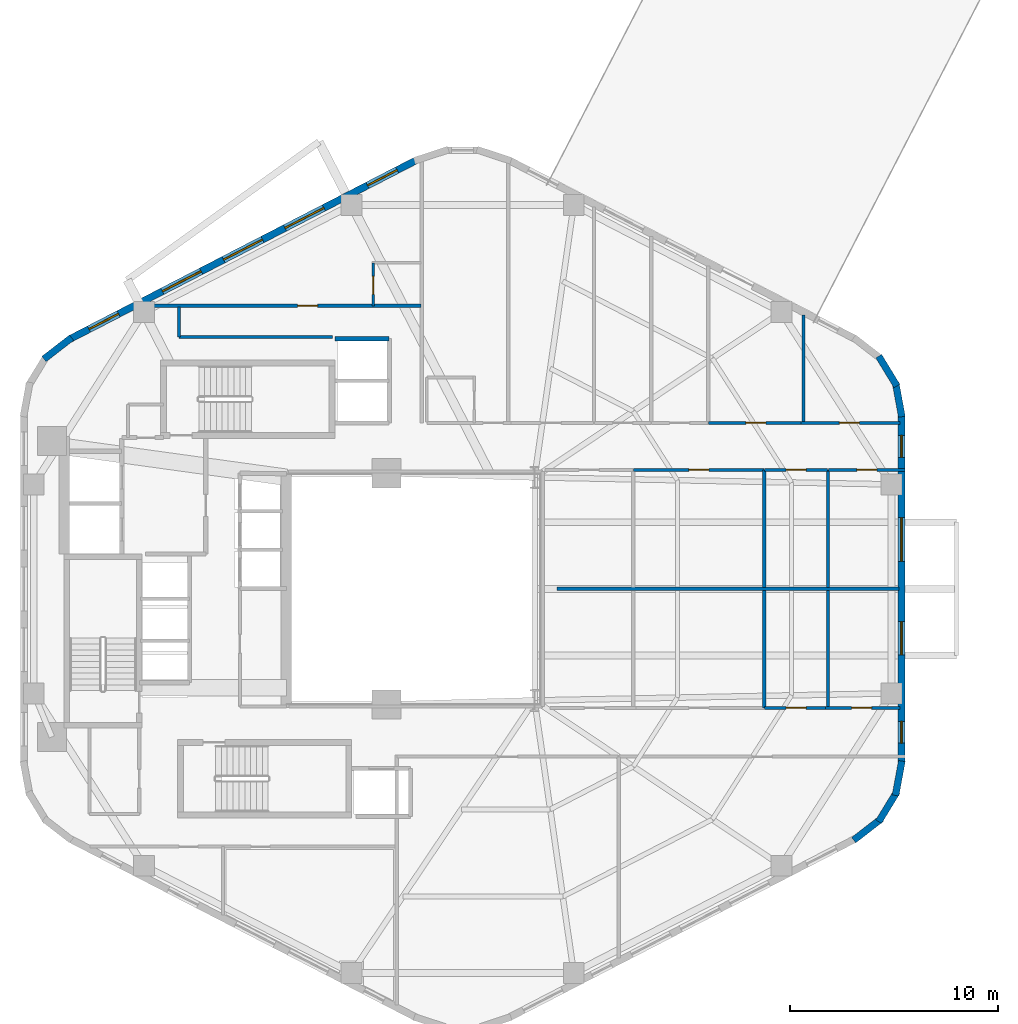
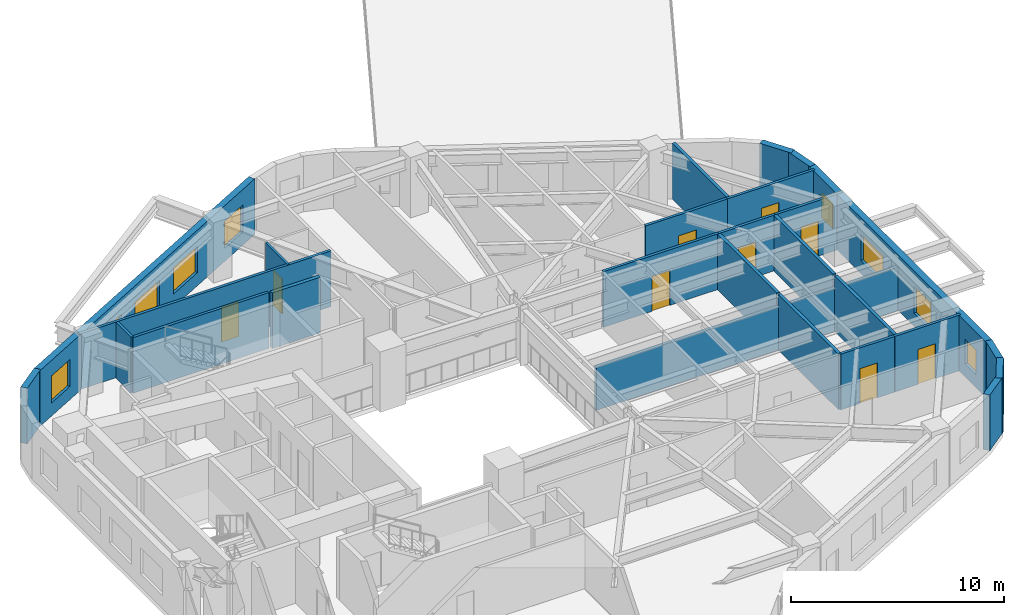
# One storey, part 5 of 8: 26 walls, 9 doors, 9 windows, 18 openings.
"""IFC4 building model written with IfcOpenShell, lengths in metres."""

import ifcopenshell
import ifcopenshell.guid

model = None  # the IFC model being written
_history = None  # IfcOwnerHistory: only IFC2X3 demands one
_inside = {}  # id of a spatial element -> (the spatial element, [elements in it])
_under = {}  # id of a project, library or spatial element -> (it, [spatial elements below it])
_declared = {}  # id of a project -> (the project, [libraries it declares])
_typed = {}  # id of a type object -> (the type object, [elements of that type])
_made_of = {}  # id of a material, layer set ... -> (it, [elements and type objects made of it])


def new_model(schema):
    """Start an empty IFC model of exactly this schema.

    Asked for "IFC4X3", IfcOpenShell would pick the latest addendum, in which some entities
    have other attributes; the version numbers below select the first issue.
    IFC2X3 requires an IfcOwnerHistory on every rooted entity: one is made here for all.
    """
    global model, _history
    if schema == "IFC4X3":
        model = ifcopenshell.file(schema_version=(4, 3, 0, 0))
    else:
        model = ifcopenshell.file(schema=schema)
    _inside.clear()
    _under.clear()
    _declared.clear()
    _typed.clear()
    _made_of.clear()
    _history = None
    if model.schema == "IFC2X3":
        org = make("IfcOrganization", Name="unknown")
        user = make(
            "IfcPersonAndOrganization",
            ThePerson=make("IfcPerson", FamilyName="unknown"),
            TheOrganization=org,
        )
        app = make(
            "IfcApplication",
            ApplicationDeveloper=org,
            Version="unknown",
            ApplicationFullName="unknown",
            ApplicationIdentifier="unknown",
        )
        _history = make(
            "IfcOwnerHistory",
            OwningUser=user,
            OwningApplication=app,
            ChangeAction="ADDED",
            CreationDate=0,
        )
    return model


def make(cls, **values):
    """One entity of the class cls with the attributes given. An attribute that is None is left unset."""
    return model.create_entity(
        cls, **{name: value for name, value in values.items() if value is not None}
    )


def rooted(cls, **values):
    """An entity with a GlobalId (a new one), such as an element, a storey or a relation."""
    return make(cls, GlobalId=ifcopenshell.guid.new(), OwnerHistory=_history, **values)


def si_unit(unit_type, name, prefix=None):
    """IfcSIUnit, for example si_unit("LENGTHUNIT", "METRE", prefix="MILLI")."""
    return make("IfcSIUnit", UnitType=unit_type, Prefix=prefix, Name=name)


def assignment(units):
    """IfcUnitAssignment: the units of a project."""
    return None if units is None else make("IfcUnitAssignment", Units=units)


def point(xyz):
    """IfcCartesianPoint."""
    return None if xyz is None else make("IfcCartesianPoint", Coordinates=xyz)


def direction(xyz):
    """IfcDirection."""
    return None if xyz is None else make("IfcDirection", DirectionRatios=xyz)


def frame(location, z_axis=None, x_axis=None):
    """IfcAxis2Placement3D, a coordinate frame: its origin and axes. An axis left out is left unset."""
    return make(
        "IfcAxis2Placement3D",
        Location=point(location),
        Axis=direction(z_axis),
        RefDirection=direction(x_axis),
    )


def frame_2d(location, x_axis=None):
    """IfcAxis2Placement2D, a coordinate frame in the plane: its origin and x axis."""
    return make(
        "IfcAxis2Placement2D", Location=point(location), RefDirection=direction(x_axis)
    )


def origin():
    """The frame at (0, 0, 0) with its axes left unset."""
    return frame((0.0, 0.0, 0.0))


def place(relative_to, where):
    """IfcLocalPlacement: puts the frame where relative to a parent placement (None: the world)."""
    return make(
        "IfcLocalPlacement", PlacementRelTo=relative_to, RelativePlacement=where
    )


def context(
    kind, dimensions, precision=None, world=None, true_north=None, identifier=None
):
    """IfcGeometricRepresentationContext, for example the 3D "Model" context."""
    return make(
        "IfcGeometricRepresentationContext",
        ContextIdentifier=identifier,
        ContextType=kind,
        CoordinateSpaceDimension=dimensions,
        Precision=precision,
        WorldCoordinateSystem=world,
        TrueNorth=true_north,
    )


def subcontext(parent, identifier, kind, view, scale=None):
    """IfcGeometricRepresentationSubContext, for example "Body" below "Model"."""
    return make(
        "IfcGeometricRepresentationSubContext",
        ContextIdentifier=identifier,
        ContextType=kind,
        ParentContext=parent,
        TargetScale=scale,
        TargetView=view,
    )


def project(units=None, contexts=None):
    """IfcProject with its units and contexts."""
    return rooted(
        "IfcProject",
        Name="project",
        RepresentationContexts=contexts,
        UnitsInContext=assignment(units),
    )


def spatial(cls, under=None, at=None, **own):
    """A site, building, storey or space (cls), placed at a placement, below another one or the project."""
    s = rooted(cls, ObjectPlacement=at, **own)
    if under is not None:
        _under.setdefault(under.id(), (under, []))[1].append(s)
    return s


def profile(cls, at=None, kind="AREA", **sizes):
    """A parametric profile (cls). Its sizes go by their IFC names, for example OverallWidth=200.0."""
    return make(cls, ProfileType=kind, Position=at, **sizes)


def rectangle(**sizes):
    """IfcRectangleProfileDef."""
    return profile("IfcRectangleProfileDef", **sizes)


def extrude(swept, where, along, depth):
    """IfcExtrudedAreaSolid: the profile swept, set in the frame where, extruded along a direction by depth."""
    return make(
        "IfcExtrudedAreaSolid",
        SweptArea=swept,
        Position=where,
        ExtrudedDirection=direction(along),
        Depth=depth,
    )


def shape(context_of_items, identifier, shape_type, items):
    """IfcShapeRepresentation: the items that make up one representation, for example the "Body"."""
    return make(
        "IfcShapeRepresentation",
        ContextOfItems=context_of_items,
        RepresentationIdentifier=identifier,
        RepresentationType=shape_type,
        Items=items,
    )


def material(Name=None, Category=None):
    """IfcMaterial."""
    return make("IfcMaterial", Name=Name, Category=Category)


def layer(
    of_material, thickness, ventilated=None, Name=None, Category=None, Priority=None
):
    """IfcMaterialLayer: one layer of a wall or slab, of a material (None: an air gap)."""
    return make(
        "IfcMaterialLayer",
        Material=of_material,
        LayerThickness=thickness,
        IsVentilated=ventilated,
        Name=Name,
        Category=Category,
        Priority=Priority,
    )


def layer_set(layers, Name=None):
    """IfcMaterialLayerSet."""
    return make("IfcMaterialLayerSet", MaterialLayers=layers, LayerSetName=Name)


def made_of(thing, what):
    """Note that an element or type object is made of a material, layer set ...; save() writes the relation."""
    if what is not None:
        _made_of.setdefault(what.id(), (what, []))[1].append(thing)
    return thing


def type_object(cls, material=None, **own):
    """A type object (cls), such as IfcWallType, which elements share."""
    return made_of(rooted(cls, **own), material)


def element(
    cls,
    number,
    at=None,
    inside=None,
    cuts=None,
    type_object=None,
    material=None,
    context=None,
    identifier="Body",
    shape_type=None,
    held_by="IfcProductDefinitionShape",
    body=None,
    shapes=None,
    **own,
):
    """One element of the class cls, such as IfcWall. Its Tag is "e" and its number.

    at: its placement. inside: the storey or other place that contains it. cuts: it is an
    opening in that element (IfcRelVoidsElement). A single representation is given by context,
    identifier, shape_type and body (its items); several are given by shapes. held_by: the class
    of the entity that holds the representations. save() writes the other relations.
    """
    e = rooted(cls, Tag="e%d" % number, ObjectPlacement=at, **own)
    if body is not None:
        shapes = [shape(context, identifier, shape_type, body)]
    if shapes is not None:
        e.Representation = make(held_by, Representations=shapes)
    if inside is not None:
        _inside.setdefault(inside.id(), (inside, []))[1].append(e)
    if cuts is not None:
        rooted(
            "IfcRelVoidsElement", RelatingBuildingElement=cuts, RelatedOpeningElement=e
        )
    if type_object is not None:
        _typed.setdefault(type_object.id(), (type_object, []))[1].append(e)
    return made_of(e, material)


def fill(opening, filler):
    """IfcRelFillsElement: the door or window that sits in an opening."""
    return rooted(
        "IfcRelFillsElement",
        RelatingOpeningElement=opening,
        RelatedBuildingElement=filler,
    )


def aggregate(whole, parts):
    """IfcRelAggregates: a whole, such as a stair, and the parts it consists of."""
    return rooted("IfcRelAggregates", RelatingObject=whole, RelatedObjects=parts)


def save(model, path):
    """Write the relations noted so far, then the file.

    IfcRelAggregates (storeys below a building ...), IfcRelContainedInSpatialStructure (elements
    in a storey), IfcRelDefinesByType, IfcRelAssociatesMaterial and IfcRelDeclares: one each for
    every whole, place, type object, material and project.
    """
    for whole, parts in _under.values():
        aggregate(whole, parts)
    for where, things in _inside.values():
        rooted(
            "IfcRelContainedInSpatialStructure",
            RelatedElements=things,
            RelatingStructure=where,
        )
    for kind, things in _typed.values():
        rooted("IfcRelDefinesByType", RelatedObjects=things, RelatingType=kind)
    for what, things in _made_of.values():
        rooted("IfcRelAssociatesMaterial", RelatedObjects=things, RelatingMaterial=what)
    for by, libraries in _declared.values():
        rooted("IfcRelDeclares", RelatingContext=by, RelatedDefinitions=libraries)
    model.write(path)


model = new_model("IFC4")

# Units and contexts
model_context = context("Model", 3, precision=1e-05, world=origin(), true_north=direction((0.0, 1.0)))
body_context = subcontext(model_context, "Body", "Model", "MODEL_VIEW")
ifc_project = project(units=[si_unit("LENGTHUNIT", "METRE"), si_unit("AREAUNIT", "SQUARE_METRE"), si_unit("VOLUMEUNIT", "CUBIC_METRE"), si_unit("PLANEANGLEUNIT", "RADIAN"), si_unit("MASSUNIT", "GRAM", prefix="KILO"), si_unit("THERMODYNAMICTEMPERATUREUNIT", "KELVIN"), si_unit("POWERUNIT", "WATT")], contexts=[model_context])

# Site, building, storey
site_placement = place(None, origin())
site = spatial("IfcSite", under=ifc_project, at=site_placement, CompositionType="ELEMENT")
building_placement = place(site_placement, origin())
building = spatial("IfcBuilding", under=site, at=building_placement, Name="Skarre Station Tower", CompositionType="ELEMENT")
storey_placement = place(building_placement, frame((0.0, 0.0, 122.25)))
storey = spatial("IfcBuildingStorey", under=building, at=storey_placement, Name="L32", CompositionType="ELEMENT", Elevation=122.25)

# Wall, opening, door
ifc_material_1 = material(Name="Acoustic Steel-Stud Gypsum Partition", Category="steel")
ifc_layer_1 = layer(ifc_material_1, 0.14990234375, Name="Acoustic Steel-Stud Gypsum Partition")
ifc_layer_set_1 = layer_set([ifc_layer_1], Name="Acoustic Steel-Stud Gypsum Partition")
wall_type_1 = type_object("IfcWallType", Name="Fire-Rated Corridor Acoustic Partition 150", PredefinedType="PARTITIONING", material=ifc_layer_set_1)
wall_1_placement = place(storey_placement, frame((34.0, 37.580078125, 0.0), z_axis=(0.0, 0.0, 1.0), x_axis=(-1.0, 0.0, 0.0)))
wall_1 = element("IfcWall", 1, at=wall_1_placement, inside=storey, type_object=wall_type_1, Name="L32 Interior Partition WL-PT-L32-NWW1-CW", PredefinedType="PARTITIONING", context=body_context, shape_type="SweptSolid", body=[
    extrude(rectangle(XDim=13.70703125, YDim=0.14990234375, at=frame_2d((6.853515625, 0.0))), origin(), (0.0, 0.0, 1.0), 3.18994140625),
])
opening_1_placement = place(wall_1_placement, frame((4.9599609375, 0.0, 0.0)))
opening_1 = element("IfcOpeningElement", 2, at=opening_1_placement, cuts=wall_1, Name="Opening DR-FD60", PredefinedType="OPENING", context=body_context, shape_type="SweptSolid", body=[
    extrude(rectangle(XDim=0.9599609375, YDim=2.0, at=frame_2d((0.47998046875, 1.0))), frame((0.0, 0.0849609375, 0.0), z_axis=(0.0, -1.0, 0.0), x_axis=(1.0, 0.0, 0.0)), (0.0, 0.0, 1.0), 0.169921875),
])
ifc_material_2 = material(Name="Nordic White-Oak Veneer Solid-Core Fire Leaf", Category="wood")
door_type_1 = type_object("IfcDoorType", Name="Corridor Suite Entry Fire Door FD60 960x2150", OperationType="SINGLE_SWING_LEFT", PredefinedType="DOOR", material=ifc_material_2)
door_1_placement = place(opening_1_placement, origin())
door_1 = element("IfcDoor", 3, at=door_1_placement, inside=storey, type_object=door_type_1, Name="L32 NWW1 Entry Door", OperationType="SINGLE_SWING_LEFT", OverallHeight=2.0, OverallWidth=0.9599609375, PredefinedType="DOOR", context=body_context, shape_type="SweptSolid", body=[
    extrude(rectangle(XDim=0.9599609375, YDim=2.0, at=frame_2d((0.47998046875, 1.0))), frame((0.0, 0.02490234375, 0.0), z_axis=(0.0, -1.0, 0.0), x_axis=(1.0, 0.0, 0.0)), (0.0, 0.0, 1.0), 0.050048828125),
])
fill(opening_1, door_1)

wall_2_placement = place(storey_placement, frame((52.219970703125, 31.9599609375, 0.0), z_axis=(0.0, 0.0, 1.0), x_axis=(-1.0, 0.0, 0.0)))
wall_2 = element("IfcWall", 4, at=wall_2_placement, inside=storey, type_object=wall_type_1, Name="L32 Interior Partition WL-PT-L32-NW5-CW", PredefinedType="PARTITIONING", context=body_context, shape_type="SweptSolid", body=[
    extrude(rectangle(XDim=4.4208984375, YDim=0.14990234375, at=frame_2d((2.21044921875, 0.0))), origin(), (0.0, 0.0, 1.0), 3.18994140625),
])
opening_2_placement = place(wall_2_placement, frame((1.674072265625, 0.0, 0.0)))
opening_2 = element("IfcOpeningElement", 5, at=opening_2_placement, cuts=wall_2, Name="Opening DR-FD60", PredefinedType="OPENING", context=body_context, shape_type="SweptSolid", body=[
    extrude(rectangle(XDim=0.9599609375, YDim=2.0, at=frame_2d((0.47998046875, 1.0))), frame((0.0, 0.0849609375, 0.0), z_axis=(0.0, -1.0, 0.0), x_axis=(1.0, 0.0, 0.0)), (0.0, 0.0, 1.0), 0.169921875),
])
door_2_placement = place(opening_2_placement, origin())
door_2 = element("IfcDoor", 6, at=door_2_placement, inside=storey, type_object=door_type_1, Name="L32 NW5 Entry Door", OperationType="SINGLE_SWING_LEFT", OverallHeight=2.0, OverallWidth=0.9599609375, PredefinedType="DOOR", context=body_context, shape_type="SweptSolid", body=[
    extrude(rectangle(XDim=0.9599609375, YDim=2.0, at=frame_2d((0.47998046875, 1.0))), frame((0.0, 0.02490234375, 0.0), z_axis=(0.0, -1.0, 0.0), x_axis=(1.0, 0.0, 0.0)), (0.0, 0.0, 1.0), 0.050048828125),
])
fill(opening_2, door_2)

wall_3_placement = place(storey_placement, frame((56.987060546875, 31.9599609375, 0.0), z_axis=(0.0, 0.0, 1.0), x_axis=(-1.0, 0.0, 0.0)))
wall_3 = element("IfcWall", 7, at=wall_3_placement, inside=storey, type_object=wall_type_1, Name="L32 Interior Partition WL-PT-L32-NW6-CW", PredefinedType="PARTITIONING", context=body_context, shape_type="SweptSolid", body=[
    extrude(rectangle(XDim=4.757080078125, YDim=0.14990234375, at=frame_2d((2.37841796875, 0.0))), origin(), (0.0, 0.0, 1.0), 3.18994140625),
])
opening_3_placement = place(wall_3_placement, frame((1.9560546875, 0.0, 0.0)))
opening_3 = element("IfcOpeningElement", 8, at=opening_3_placement, cuts=wall_3, Name="Opening DR-FD60", PredefinedType="OPENING", context=body_context, shape_type="SweptSolid", body=[
    extrude(rectangle(XDim=0.9599609375, YDim=2.0, at=frame_2d((0.47998046875, 1.0))), frame((0.0, 0.0849609375, 0.0), z_axis=(0.0, -1.0, 0.0), x_axis=(1.0, 0.0, 0.0)), (0.0, 0.0, 1.0), 0.169921875),
])
door_3_placement = place(opening_3_placement, origin())
door_3 = element("IfcDoor", 9, at=door_3_placement, inside=storey, type_object=door_type_1, Name="L32 NW6 Entry Door", OperationType="SINGLE_SWING_LEFT", OverallHeight=2.0, OverallWidth=0.9599609375, PredefinedType="DOOR", context=body_context, shape_type="SweptSolid", body=[
    extrude(rectangle(XDim=0.9599609375, YDim=2.0, at=frame_2d((0.47998046875, 1.0))), frame((0.0, 0.02490234375, 0.0), z_axis=(0.0, -1.0, 0.0), x_axis=(1.0, 0.0, 0.0)), (0.0, 0.0, 1.0), 0.050048828125),
])
fill(opening_3, door_3)

wall_4_placement = place(storey_placement, frame((44.20703125, 29.7099609375, 0.0), z_axis=(0.0, 0.0, 1.0), x_axis=(1.0, 0.0, 0.0)))
wall_4 = element("IfcWall", 10, at=wall_4_placement, inside=storey, type_object=wall_type_1, Name="L32 Interior Partition WL-PT-L32-EWN2-CW", PredefinedType="PARTITIONING", context=body_context, shape_type="SweptSolid", body=[
    extrude(rectangle(XDim=6.248046875, YDim=0.14990234375, at=frame_2d((3.1240234375, 0.0))), origin(), (0.0, 0.0, 1.0), 3.18994140625),
])
opening_4_placement = place(wall_4_placement, frame((2.64404296875, 0.0, 0.0)))
opening_4 = element("IfcOpeningElement", 11, at=opening_4_placement, cuts=wall_4, Name="Opening DR-FD60", PredefinedType="OPENING", context=body_context, shape_type="SweptSolid", body=[
    extrude(rectangle(XDim=0.9599609375, YDim=2.0, at=frame_2d((0.47998046875, 1.0))), frame((0.0, 0.0849609375, 0.0), z_axis=(0.0, -1.0, 0.0), x_axis=(1.0, 0.0, 0.0)), (0.0, 0.0, 1.0), 0.169921875),
])
door_4_placement = place(opening_4_placement, origin())
door_4 = element("IfcDoor", 12, at=door_4_placement, inside=storey, type_object=door_type_1, Name="L32 EWN2 Entry Door", OperationType="SINGLE_SWING_LEFT", OverallHeight=2.0, OverallWidth=0.9599609375, PredefinedType="DOOR", context=body_context, shape_type="SweptSolid", body=[
    extrude(rectangle(XDim=0.9599609375, YDim=2.0, at=frame_2d((0.47998046875, 1.0))), frame((0.0, 0.02490234375, 0.0), z_axis=(0.0, -1.0, 0.0), x_axis=(1.0, 0.0, 0.0)), (0.0, 0.0, 1.0), 0.050048828125),
])
fill(opening_4, door_4)

wall_5_placement = place(storey_placement, frame((50.485107421875, 29.7099609375, 0.0), z_axis=(0.0, 0.0, 1.0), x_axis=(1.0, 0.0, 0.0)))
wall_5 = element("IfcWall", 13, at=wall_5_placement, inside=storey, type_object=wall_type_1, Name="L32 Interior Partition WL-PT-L32-EWN3-CW", PredefinedType="PARTITIONING", context=body_context, shape_type="SweptSolid", body=[
    extrude(rectangle(XDim=3.02392578125, YDim=0.14990234375, at=frame_2d((1.511962890625, 0.0))), origin(), (0.0, 0.0, 1.0), 3.18994140625),
])
opening_5_placement = place(wall_5_placement, frame((1.031982421875, 0.0, 0.0)))
opening_5 = element("IfcOpeningElement", 14, at=opening_5_placement, cuts=wall_5, Name="Opening DR-FD60", PredefinedType="OPENING", context=body_context, shape_type="SweptSolid", body=[
    extrude(rectangle(XDim=0.9599609375, YDim=2.0, at=frame_2d((0.47998046875, 1.0))), frame((0.0, 0.0849609375, 0.0), z_axis=(0.0, -1.0, 0.0), x_axis=(1.0, 0.0, 0.0)), (0.0, 0.0, 1.0), 0.169921875),
])
door_5_placement = place(opening_5_placement, origin())
door_5 = element("IfcDoor", 15, at=door_5_placement, inside=storey, type_object=door_type_1, Name="L32 EWN3 Entry Door", OperationType="SINGLE_SWING_LEFT", OverallHeight=2.0, OverallWidth=0.9599609375, PredefinedType="DOOR", context=body_context, shape_type="SweptSolid", body=[
    extrude(rectangle(XDim=0.9599609375, YDim=2.0, at=frame_2d((0.47998046875, 1.0))), frame((0.0, 0.02490234375, 0.0), z_axis=(0.0, -1.0, 0.0), x_axis=(1.0, 0.0, 0.0)), (0.0, 0.0, 1.0), 0.050048828125),
])
fill(opening_5, door_5)

wall_6_placement = place(storey_placement, frame((53.5390625, 29.7099609375, 0.0), z_axis=(0.0, 0.0, 1.0), x_axis=(1.0, 0.0, 0.0)))
wall_6 = element("IfcWall", 16, at=wall_6_placement, inside=storey, type_object=wall_type_1, Name="L32 Interior Partition WL-PT-L32-EWN4-CW", PredefinedType="PARTITIONING", context=body_context, shape_type="SweptSolid", body=[
    extrude(rectangle(XDim=3.6689453125, YDim=0.14990234375, at=frame_2d((1.83447265625, 0.0))), origin(), (0.0, 0.0, 1.0), 3.18994140625),
])
opening_6_placement = place(wall_6_placement, frame((1.368896484375, 0.0, 0.0)))
opening_6 = element("IfcOpeningElement", 17, at=opening_6_placement, cuts=wall_6, Name="Opening DR-FD60", PredefinedType="OPENING", context=body_context, shape_type="SweptSolid", body=[
    extrude(rectangle(XDim=0.9599609375, YDim=2.0, at=frame_2d((0.47998046875, 1.0))), frame((0.0, 0.0849609375, 0.0), z_axis=(0.0, -1.0, 0.0), x_axis=(1.0, 0.0, 0.0)), (0.0, 0.0, 1.0), 0.169921875),
])
door_6_placement = place(opening_6_placement, origin())
door_6 = element("IfcDoor", 18, at=door_6_placement, inside=storey, type_object=door_type_1, Name="L32 EWN4 Entry Door", OperationType="SINGLE_SWING_LEFT", OverallHeight=2.0, OverallWidth=0.9599609375, PredefinedType="DOOR", context=body_context, shape_type="SweptSolid", body=[
    extrude(rectangle(XDim=0.9599609375, YDim=2.0, at=frame_2d((0.47998046875, 1.0))), frame((0.0, 0.02490234375, 0.0), z_axis=(0.0, -1.0, 0.0), x_axis=(1.0, 0.0, 0.0)), (0.0, 0.0, 1.0), 0.050048828125),
])
fill(opening_6, door_6)

wall_7_placement = place(storey_placement, frame((53.39404296875, 18.2900390625, 0.0), z_axis=(0.0, 0.0, 1.0), x_axis=(-1.0, 0.0, 0.0)))
wall_7 = element("IfcWall", 19, at=wall_7_placement, inside=storey, type_object=wall_type_1, Name="L32 Interior Partition WL-PT-L32-EWS3-CW", PredefinedType="PARTITIONING", context=body_context, shape_type="SweptSolid", body=[
    extrude(rectangle(XDim=2.908935546875, YDim=0.14990234375, at=frame_2d((1.45458984375, 0.0))), origin(), (0.0, 0.0, 1.0), 3.18994140625),
])
opening_7_placement = place(wall_7_placement, frame((0.9169921875, 0.0, 0.0)))
opening_7 = element("IfcOpeningElement", 20, at=opening_7_placement, cuts=wall_7, Name="Opening DR-FD60", PredefinedType="OPENING", context=body_context, shape_type="SweptSolid", body=[
    extrude(rectangle(XDim=0.9599609375, YDim=2.0, at=frame_2d((0.47998046875, 1.0))), frame((0.0, 0.0849609375, 0.0), z_axis=(0.0, -1.0, 0.0), x_axis=(1.0, 0.0, 0.0)), (0.0, 0.0, 1.0), 0.169921875),
])
door_7_placement = place(opening_7_placement, origin())
door_7 = element("IfcDoor", 21, at=door_7_placement, inside=storey, type_object=door_type_1, Name="L32 EWS3 Entry Door", OperationType="SINGLE_SWING_LEFT", OverallHeight=2.0, OverallWidth=0.9599609375, PredefinedType="DOOR", context=body_context, shape_type="SweptSolid", body=[
    extrude(rectangle(XDim=0.9599609375, YDim=2.0, at=frame_2d((0.47998046875, 1.0))), frame((0.0, 0.02490234375, 0.0), z_axis=(0.0, -1.0, 0.0), x_axis=(1.0, 0.0, 0.0)), (0.0, 0.0, 1.0), 0.050048828125),
])
fill(opening_7, door_7)

wall_8_placement = place(storey_placement, frame((56.988037109375, 18.2900390625, 0.0), z_axis=(0.0, 0.0, 1.0), x_axis=(-1.0, 0.0, 0.0)))
wall_8 = element("IfcWall", 22, at=wall_8_placement, inside=storey, type_object=wall_type_1, Name="L32 Interior Partition WL-PT-L32-EWS4-CW", PredefinedType="PARTITIONING", context=body_context, shape_type="SweptSolid", body=[
    extrude(rectangle(XDim=3.583984375, YDim=0.14990234375, at=frame_2d((1.7919921875, 0.0))), origin(), (0.0, 0.0, 1.0), 3.18994140625),
])
opening_8_placement = place(wall_8_placement, frame((1.368896484375, 0.0, 0.0)))
opening_8 = element("IfcOpeningElement", 23, at=opening_8_placement, cuts=wall_8, Name="Opening DR-FD60", PredefinedType="OPENING", context=body_context, shape_type="SweptSolid", body=[
    extrude(rectangle(XDim=0.9599609375, YDim=2.0, at=frame_2d((0.47998046875, 1.0))), frame((0.0, 0.0849609375, 0.0), z_axis=(0.0, -1.0, 0.0), x_axis=(1.0, 0.0, 0.0)), (0.0, 0.0, 1.0), 0.169921875),
])
door_8_placement = place(opening_8_placement, origin())
door_8 = element("IfcDoor", 24, at=door_8_placement, inside=storey, type_object=door_type_1, Name="L32 EWS4 Entry Door", OperationType="SINGLE_SWING_LEFT", OverallHeight=2.0, OverallWidth=0.9599609375, PredefinedType="DOOR", context=body_context, shape_type="SweptSolid", body=[
    extrude(rectangle(XDim=0.9599609375, YDim=2.0, at=frame_2d((0.47998046875, 1.0))), frame((0.0, 0.02490234375, 0.0), z_axis=(0.0, -1.0, 0.0), x_axis=(1.0, 0.0, 0.0)), (0.0, 0.0, 1.0), 0.050048828125),
])
fill(opening_8, door_8)

# Walls
wall_9_placement = place(storey_placement, frame((29.7529296875, 36.080078125, 0.0), z_axis=(0.0, 0.0, 1.0), x_axis=(-1.0, 0.0, 0.0)))
element("IfcWall", 25, at=wall_9_placement, inside=storey, type_object=wall_type_1, Name="L32 Interior Partition WL-PT-L32-CSEAL-1", PredefinedType="PARTITIONING", context=body_context, shape_type="SweptSolid", body=[
    extrude(rectangle(XDim=7.35302734375, YDim=0.14990234375, at=frame_2d((3.676513671875, 0.0))), origin(), (0.0, 0.0, 1.0), 3.18994140625),
])
wall_10_placement = place(storey_placement, frame((22.39990234375, 36.080078125, 0.0), z_axis=(0.0, 0.0, 1.0), x_axis=(0.0, 1.0, 0.0)))
element("IfcWall", 26, at=wall_10_placement, inside=storey, type_object=wall_type_1, Name="L32 Interior Partition WL-PT-L32-CSEAL-2", PredefinedType="PARTITIONING", context=body_context, shape_type="SweptSolid", body=[
    extrude(rectangle(XDim=1.429931640625, YDim=0.14990234375, at=frame_2d((0.71484375, 0.0))), origin(), (0.0, 0.0, 1.0), 3.18994140625),
])

# Wall, opening, door
ifc_material_3 = material(Name="Insulated Timber-Stud Gypsum Partition", Category="wood")
ifc_layer_2 = layer(ifc_material_3, 0.1201171875, Name="Insulated Timber-Stud Gypsum Partition")
ifc_layer_set_2 = layer_set([ifc_layer_2], Name="Insulated Timber-Stud Gypsum Partition")
wall_type_2 = type_object("IfcWallType", Name="Internal Suite Acoustic Partition 120", PredefinedType="PARTITIONING", material=ifc_layer_set_2)
wall_11_placement = place(storey_placement, frame((31.719970703125, 39.639892578125, 0.0), z_axis=(0.0, 0.0, 1.0), x_axis=(0.0, -1.0, 0.0)))
wall_11 = element("IfcWall", 27, at=wall_11_placement, inside=storey, type_object=wall_type_2, Name="L32 Interior Partition WL-PT-L32-NWW1-EW4", PredefinedType="PARTITIONING", context=body_context, shape_type="SweptSolid", body=[
    extrude(rectangle(XDim=2.059814453125, YDim=0.1201171875, at=frame_2d((1.02978515625, 0.0))), origin(), (0.0, 0.0, 1.0), 3.18994140625),
])
opening_9_placement = place(wall_11_placement, frame((0.64990234375, 0.0, 0.0)))
opening_9 = element("IfcOpeningElement", 28, at=opening_9_placement, cuts=wall_11, Name="Opening DR-INT86", PredefinedType="OPENING", context=body_context, shape_type="SweptSolid", body=[
    extrude(rectangle(XDim=0.860107421875, YDim=2.0, at=frame_2d((0.43017578125, 1.0))), frame((0.0, 0.070068359375, 0.0), z_axis=(0.0, -1.0, 0.0), x_axis=(1.0, 0.0, 0.0)), (0.0, 0.0, 1.0), 0.14013671875),
])
ifc_material_4 = material(Name="Nordic Birch Acoustic Solid-Core Timber Leaf", Category="wood")
door_type_2 = type_object("IfcDoorType", Name="Internal En-Suite & Bedroom Door 860x2100", OperationType="SINGLE_SWING_LEFT", PredefinedType="DOOR", material=ifc_material_4)
door_9_placement = place(opening_9_placement, origin())
door_9 = element("IfcDoor", 29, at=door_9_placement, inside=storey, type_object=door_type_2, Name="L32 NWW1 En-suite Door", OperationType="SINGLE_SWING_RIGHT", OverallHeight=2.0, OverallWidth=0.860107421875, PredefinedType="DOOR", context=body_context, shape_type="SweptSolid", body=[
    extrude(rectangle(XDim=0.860107421875, YDim=2.0, at=frame_2d((0.43017578125, 1.0))), frame((0.0, 0.02490234375, 0.0), z_axis=(0.0, -1.0, 0.0), x_axis=(1.0, 0.0, 0.0)), (0.0, 0.0, 1.0), 0.050048828125),
])
fill(opening_9, door_9)

# Wall, openings, windows
ifc_material_5 = material(Name="Precast concrete C45/55", Category="concrete")
ifc_layer_3 = layer(ifc_material_5, 0.340087890625, Name="Precast concrete C45/55")
ifc_layer_set_3 = layer_set([ifc_layer_3], Name="Precast concrete C45/55")
wall_type_3 = type_object("IfcWallType", Name="Nordic Honed Precast Facet Wall 340", PredefinedType="STANDARD", material=ifc_layer_set_3)
wall_12_placement = place(storey_placement, frame((17.1689453125, 35.989990234375, 0.0), z_axis=(0.0, 0.0, 1.0), x_axis=(0.888613612362, 0.458656568606, 0.0)))
wall_12 = element("IfcWall", 30, at=wall_12_placement, inside=storey, type_object=wall_type_3, Name="L32 Facet 1 Nordic Precast Masonry Wall", PredefinedType="STANDARD", context=body_context, shape_type="SweptSolid", body=[
    extrude(rectangle(XDim=18.680908203125, YDim=0.340087890625, at=frame_2d((9.34033203125, 0.0))), origin(), (0.0, 0.0, 1.0), 3.18994140625),
])
opening_10_placement = place(wall_12_placement, frame((1.02294921875, 0.0, 0.75)))
opening_10 = element("IfcOpeningElement", 31, at=opening_10_placement, cuts=wall_12, Name="Opening WN-Z2A", PredefinedType="OPENING", context=body_context, shape_type="SweptSolid", body=[
    extrude(rectangle(XDim=1.60009765625, YDim=1.550048828125, at=frame_2d((0.800048828125, 0.77490234375))), frame((0.0, 0.179931640625, 0.0), z_axis=(0.0, -1.0, 0.0), x_axis=(1.0, 0.0, 0.0)), (0.0, 0.0, 1.0), 0.360107421875),
])
opening_11_placement = place(wall_12_placement, frame((4.98095703125, 0.0, 0.75)))
opening_11 = element("IfcOpeningElement", 32, at=opening_11_placement, cuts=wall_12, Name="Opening WN-Z2B", PredefinedType="OPENING", context=body_context, shape_type="SweptSolid", body=[
    extrude(rectangle(XDim=2.10009765625, YDim=1.5, at=frame_2d((1.050048828125, 0.75))), frame((0.0, 0.179931640625, 0.0), z_axis=(0.0, -1.0, 0.0), x_axis=(1.0, 0.0, 0.0)), (0.0, 0.0, 1.0), 0.360107421875),
])
opening_12_placement = place(wall_12_placement, frame((8.2900390625, 0.0, 0.75)))
opening_12 = element("IfcOpeningElement", 33, at=opening_12_placement, cuts=wall_12, Name="Opening WN-Z2B", PredefinedType="OPENING", context=body_context, shape_type="SweptSolid", body=[
    extrude(rectangle(XDim=2.10009765625, YDim=1.5, at=frame_2d((1.050048828125, 0.75))), frame((0.0, 0.179931640625, 0.0), z_axis=(0.0, -1.0, 0.0), x_axis=(1.0, 0.0, 0.0)), (0.0, 0.0, 1.0), 0.360107421875),
])
opening_13_placement = place(wall_12_placement, frame((11.60009765625, 0.0, 0.75)))
opening_13 = element("IfcOpeningElement", 34, at=opening_13_placement, cuts=wall_12, Name="Opening WN-Z2B", PredefinedType="OPENING", context=body_context, shape_type="SweptSolid", body=[
    extrude(rectangle(XDim=2.10009765625, YDim=1.5, at=frame_2d((1.050048828125, 0.75))), frame((0.0, 0.179931640625, 0.0), z_axis=(0.0, -1.0, 0.0), x_axis=(1.0, 0.0, 0.0)), (0.0, 0.0, 1.0), 0.360107421875),
])
opening_14_placement = place(wall_12_placement, frame((16.05810546875, 0.0, 0.75)))
opening_14 = element("IfcOpeningElement", 35, at=opening_14_placement, cuts=wall_12, Name="Opening WN-Z2A", PredefinedType="OPENING", context=body_context, shape_type="SweptSolid", body=[
    extrude(rectangle(XDim=1.60009765625, YDim=1.550048828125, at=frame_2d((0.800048828125, 0.77490234375))), frame((0.0, 0.179931640625, 0.0), z_axis=(0.0, -1.0, 0.0), x_axis=(1.0, 0.0, 0.0)), (0.0, 0.0, 1.0), 0.360107421875),
])
ifc_material_6 = material(Name="Low-Iron Triple Glazing with Bronze Anodized Frame", Category="glass")
window_type_1 = type_object("IfcWindowType", Name="Nordic Residential Tall Window 1600x1550", PartitioningType="SINGLE_PANEL", PredefinedType="WINDOW", material=ifc_material_6)
window_1_placement = place(opening_10_placement, origin())
window_1 = element("IfcWindow", 36, at=window_1_placement, inside=storey, type_object=window_type_1, Name="L32 Facade Window WL-FAC-L32-F1-1", OverallHeight=1.550048828125, OverallWidth=1.60009765625, PartitioningType="SINGLE_PANEL", PredefinedType="WINDOW", context=body_context, shape_type="SweptSolid", body=[
    extrude(rectangle(XDim=1.60009765625, YDim=1.550048828125, at=frame_2d((0.800048828125, 0.77490234375))), frame((0.0, 0.030029296875, 0.0), z_axis=(0.0, -1.0, 0.0), x_axis=(1.0, 0.0, 0.0)), (0.0, 0.0, 1.0), 0.06005859375),
])
fill(opening_10, window_1)
window_2_placement = place(opening_14_placement, origin())
window_2 = element("IfcWindow", 37, at=window_2_placement, inside=storey, type_object=window_type_1, Name="L32 Facade Window WL-FAC-L32-F1-5", OverallHeight=1.550048828125, OverallWidth=1.60009765625, PartitioningType="SINGLE_PANEL", PredefinedType="WINDOW", context=body_context, shape_type="SweptSolid", body=[
    extrude(rectangle(XDim=1.60009765625, YDim=1.550048828125, at=frame_2d((0.800048828125, 0.77490234375))), frame((0.0, 0.030029296875, 0.0), z_axis=(0.0, -1.0, 0.0), x_axis=(1.0, 0.0, 0.0)), (0.0, 0.0, 1.0), 0.06005859375),
])
fill(opening_14, window_2)
window_type_2 = type_object("IfcWindowType", Name="Nordic Residential Twin Window 2100x1500", PartitioningType="SINGLE_PANEL", PredefinedType="WINDOW", material=ifc_material_6)
window_3_placement = place(opening_11_placement, origin())
window_3 = element("IfcWindow", 38, at=window_3_placement, inside=storey, type_object=window_type_2, Name="L32 Facade Window WL-FAC-L32-F1-2", OverallHeight=1.5, OverallWidth=2.10009765625, PartitioningType="SINGLE_PANEL", PredefinedType="WINDOW", context=body_context, shape_type="SweptSolid", body=[
    extrude(rectangle(XDim=2.10009765625, YDim=1.5, at=frame_2d((1.050048828125, 0.75))), frame((0.0, 0.030029296875, 0.0), z_axis=(0.0, -1.0, 0.0), x_axis=(1.0, 0.0, 0.0)), (0.0, 0.0, 1.0), 0.06005859375),
])
fill(opening_11, window_3)
window_4_placement = place(opening_12_placement, origin())
window_4 = element("IfcWindow", 39, at=window_4_placement, inside=storey, type_object=window_type_2, Name="L32 Facade Window WL-FAC-L32-F1-3", OverallHeight=1.5, OverallWidth=2.10009765625, PartitioningType="SINGLE_PANEL", PredefinedType="WINDOW", context=body_context, shape_type="SweptSolid", body=[
    extrude(rectangle(XDim=2.10009765625, YDim=1.5, at=frame_2d((1.050048828125, 0.75))), frame((0.0, 0.030029296875, 0.0), z_axis=(0.0, -1.0, 0.0), x_axis=(1.0, 0.0, 0.0)), (0.0, 0.0, 1.0), 0.06005859375),
])
fill(opening_12, window_4)
window_5_placement = place(opening_13_placement, origin())
window_5 = element("IfcWindow", 40, at=window_5_placement, inside=storey, type_object=window_type_2, Name="L32 Facade Window WL-FAC-L32-F1-4", OverallHeight=1.5, OverallWidth=2.10009765625, PartitioningType="SINGLE_PANEL", PredefinedType="WINDOW", context=body_context, shape_type="SweptSolid", body=[
    extrude(rectangle(XDim=2.10009765625, YDim=1.5, at=frame_2d((1.050048828125, 0.75))), frame((0.0, 0.030029296875, 0.0), z_axis=(0.0, -1.0, 0.0), x_axis=(1.0, 0.0, 0.0)), (0.0, 0.0, 1.0), 0.06005859375),
])
fill(opening_13, window_5)

wall_13_placement = place(storey_placement, frame((57.048095703125, 32.35205078125, 0.0), z_axis=(0.0, 0.0, 1.0), x_axis=(0.0, -1.0, 0.0)))
wall_13 = element("IfcWall", 41, at=wall_13_placement, inside=storey, type_object=wall_type_3, Name="L32 Facet 5 Nordic Precast Masonry Wall", PredefinedType="STANDARD", context=body_context, shape_type="SweptSolid", body=[
    extrude(rectangle(XDim=16.7041015625, YDim=0.340087890625, at=frame_2d((8.35205078125, 0.0))), origin(), (0.0, 0.0, 1.0), 3.18994140625),
])
opening_15_placement = place(wall_13_placement, frame((0.991943359375, 0.0, 0.75)))
opening_15 = element("IfcOpeningElement", 42, at=opening_15_placement, cuts=wall_13, Name="Opening WN-SLT", PredefinedType="OPENING", context=body_context, shape_type="SweptSolid", body=[
    extrude(rectangle(XDim=1.050048828125, YDim=1.39990234375, at=frame_2d((0.52490234375, 0.699951171875))), frame((0.0, 0.179931640625, 0.0), z_axis=(0.0, -1.0, 0.0), x_axis=(1.0, 0.0, 0.0)), (0.0, 0.0, 1.0), 0.360107421875),
])
opening_16_placement = place(wall_13_placement, frame((4.93505859375, 0.0, 0.75)))
opening_16 = element("IfcOpeningElement", 43, at=opening_16_placement, cuts=wall_13, Name="Opening WN-Z2B", PredefinedType="OPENING", context=body_context, shape_type="SweptSolid", body=[
    extrude(rectangle(XDim=2.10009765625, YDim=1.5, at=frame_2d((1.050048828125, 0.75))), frame((0.0, 0.179931640625, 0.0), z_axis=(0.0, -1.0, 0.0), x_axis=(1.0, 0.0, 0.0)), (0.0, 0.0, 1.0), 0.360107421875),
])
opening_17_placement = place(wall_13_placement, frame((9.9189453125, 0.0, 0.75)))
opening_17 = element("IfcOpeningElement", 44, at=opening_17_placement, cuts=wall_13, Name="Opening WN-Z2A", PredefinedType="OPENING", context=body_context, shape_type="SweptSolid", body=[
    extrude(rectangle(XDim=1.60009765625, YDim=1.550048828125, at=frame_2d((0.800048828125, 0.77490234375))), frame((0.0, 0.179931640625, 0.0), z_axis=(0.0, -1.0, 0.0), x_axis=(1.0, 0.0, 0.0)), (0.0, 0.0, 1.0), 0.360107421875),
])
opening_18_placement = place(wall_13_placement, frame((14.701904296875, 0.0, 0.75)))
opening_18 = element("IfcOpeningElement", 45, at=opening_18_placement, cuts=wall_13, Name="Opening WN-SLT", PredefinedType="OPENING", context=body_context, shape_type="SweptSolid", body=[
    extrude(rectangle(XDim=1.050048828125, YDim=1.39990234375, at=frame_2d((0.52490234375, 0.699951171875))), frame((0.0, 0.179931640625, 0.0), z_axis=(0.0, -1.0, 0.0), x_axis=(1.0, 0.0, 0.0)), (0.0, 0.0, 1.0), 0.360107421875),
])
window_type_3 = type_object("IfcWindowType", Name="Nordic Corner Slot Window 1050x1400", PartitioningType="SINGLE_PANEL", PredefinedType="WINDOW", material=ifc_material_6)
window_6_placement = place(opening_15_placement, origin())
window_6 = element("IfcWindow", 46, at=window_6_placement, inside=storey, type_object=window_type_3, Name="L32 Facade Window WL-FAC-L32-F5-1", OverallHeight=1.39990234375, OverallWidth=1.050048828125, PartitioningType="SINGLE_PANEL", PredefinedType="WINDOW", context=body_context, shape_type="SweptSolid", body=[
    extrude(rectangle(XDim=1.050048828125, YDim=1.39990234375, at=frame_2d((0.52490234375, 0.699951171875))), frame((0.0, 0.030029296875, 0.0), z_axis=(0.0, -1.0, 0.0), x_axis=(1.0, 0.0, 0.0)), (0.0, 0.0, 1.0), 0.06005859375),
])
fill(opening_15, window_6)
window_7_placement = place(opening_18_placement, origin())
window_7 = element("IfcWindow", 47, at=window_7_placement, inside=storey, type_object=window_type_3, Name="L32 Facade Window WL-FAC-L32-F5-4", OverallHeight=1.39990234375, OverallWidth=1.050048828125, PartitioningType="SINGLE_PANEL", PredefinedType="WINDOW", context=body_context, shape_type="SweptSolid", body=[
    extrude(rectangle(XDim=1.050048828125, YDim=1.39990234375, at=frame_2d((0.52490234375, 0.699951171875))), frame((0.0, 0.030029296875, 0.0), z_axis=(0.0, -1.0, 0.0), x_axis=(1.0, 0.0, 0.0)), (0.0, 0.0, 1.0), 0.06005859375),
])
fill(opening_18, window_7)
window_8_placement = place(opening_17_placement, origin())
window_8 = element("IfcWindow", 48, at=window_8_placement, inside=storey, type_object=window_type_1, Name="L32 Facade Window WL-FAC-L32-F5-3", OverallHeight=1.550048828125, OverallWidth=1.60009765625, PartitioningType="SINGLE_PANEL", PredefinedType="WINDOW", context=body_context, shape_type="SweptSolid", body=[
    extrude(rectangle(XDim=1.60009765625, YDim=1.550048828125, at=frame_2d((0.800048828125, 0.77490234375))), frame((0.0, 0.030029296875, 0.0), z_axis=(0.0, -1.0, 0.0), x_axis=(1.0, 0.0, 0.0)), (0.0, 0.0, 1.0), 0.06005859375),
])
fill(opening_17, window_8)
window_9_placement = place(opening_16_placement, origin())
window_9 = element("IfcWindow", 49, at=window_9_placement, inside=storey, type_object=window_type_2, Name="L32 Facade Window WL-FAC-L32-F5-2", OverallHeight=1.5, OverallWidth=2.10009765625, PartitioningType="SINGLE_PANEL", PredefinedType="WINDOW", context=body_context, shape_type="SweptSolid", body=[
    extrude(rectangle(XDim=2.10009765625, YDim=1.5, at=frame_2d((1.050048828125, 0.75))), frame((0.0, 0.030029296875, 0.0), z_axis=(0.0, -1.0, 0.0), x_axis=(1.0, 0.0, 0.0)), (0.0, 0.0, 1.0), 0.06005859375),
])
fill(opening_16, window_9)

# Walls
ifc_layer_4 = layer(ifc_material_5, 0.330078125, Name="Precast concrete C45/55")
ifc_layer_set_4 = layer_set([ifc_layer_4], Name="Precast concrete C45/55")
wall_type_4 = type_object("IfcWallType", Name="Nordic Rounded Corner Precast Wall 330", PredefinedType="STANDARD", material=ifc_layer_set_4)
wall_14_placement = place(storey_placement, frame((55.95703125, 35.1640625, 0.0), z_axis=(0.0, 0.0, 1.0), x_axis=(0.520519429557, -0.853849824883, 0.0)))
element("IfcWall", 50, at=wall_14_placement, inside=storey, type_object=wall_type_4, Name="L32 Rounded Corner Precast Wall F0-2", PredefinedType="STANDARD", context=body_context, shape_type="SweptSolid", body=[
    extrude(rectangle(XDim=1.67724609375, YDim=0.330078125, at=frame_2d((0.838623046875, 0.0))), origin(), (0.0, 0.0, 1.0), 3.18994140625),
])
wall_15_placement = place(storey_placement, frame((56.762939453125, 33.906982421875, 0.0), z_axis=(0.0, 0.0, 1.0), x_axis=(0.181984991895, -0.983301308209, 0.0)))
element("IfcWall", 51, at=wall_15_placement, inside=storey, type_object=wall_type_4, Name="L32 Rounded Corner Precast Wall F0-3", PredefinedType="STANDARD", context=body_context, shape_type="SweptSolid", body=[
    extrude(rectangle(XDim=1.677001953125, YDim=0.330078125, at=frame_2d((0.83837890625, 0.0))), origin(), (0.0, 0.0, 1.0), 3.18994140625),
])
wall_16_placement = place(storey_placement, frame((15.91796875, 35.02392578125, 0.0), z_axis=(0.0, 0.0, 1.0), x_axis=(0.790621329885, 0.612305408053, 0.0)))
element("IfcWall", 52, at=wall_16_placement, inside=storey, type_object=wall_type_4, Name="L32 Rounded Corner Precast Wall F2-3", PredefinedType="STANDARD", context=body_context, shape_type="SweptSolid", body=[
    extrude(rectangle(XDim=1.67578125, YDim=0.330078125, at=frame_2d((0.837890625, 0.0))), origin(), (0.0, 0.0, 1.0), 3.18994140625),
])
wall_17_placement = place(storey_placement, frame((57.068115234375, 15.741943359375, 0.0), z_axis=(0.0, 0.0, 1.0), x_axis=(-0.181984991895, -0.983301308209, 0.0)))
element("IfcWall", 53, at=wall_17_placement, inside=storey, type_object=wall_type_4, Name="L32 Rounded Corner Precast Wall F5-1", PredefinedType="STANDARD", context=body_context, shape_type="SweptSolid", body=[
    extrude(rectangle(XDim=1.677001953125, YDim=0.330078125, at=frame_2d((0.83837890625, 0.0))), origin(), (0.0, 0.0, 1.0), 3.18994140625),
])
wall_18_placement = place(storey_placement, frame((56.830078125, 14.26806640625, 0.0), z_axis=(0.0, 0.0, 1.0), x_axis=(-0.520519429557, -0.853849824883, 0.0)))
element("IfcWall", 54, at=wall_18_placement, inside=storey, type_object=wall_type_4, Name="L32 Rounded Corner Precast Wall F5-2", PredefinedType="STANDARD", context=body_context, shape_type="SweptSolid", body=[
    extrude(rectangle(XDim=1.67724609375, YDim=0.330078125, at=frame_2d((0.838623046875, 0.0))), origin(), (0.0, 0.0, 1.0), 3.18994140625),
])
wall_19_placement = place(storey_placement, frame((56.08203125, 12.97607421875, 0.0), z_axis=(0.0, 0.0, 1.0), x_axis=(-0.790621329885, -0.612305408053, 0.0)))
element("IfcWall", 55, at=wall_19_placement, inside=storey, type_object=wall_type_4, Name="L32 Rounded Corner Precast Wall F5-3", PredefinedType="STANDARD", context=body_context, shape_type="SweptSolid", body=[
    extrude(rectangle(XDim=1.67578125, YDim=0.330078125, at=frame_2d((0.837890625, 0.0))), origin(), (0.0, 0.0, 1.0), 3.18994140625),
])
ifc_material_7 = material(Name="Gypsum Concrete Shaft Assembly C30/37", Category="concrete")
ifc_layer_5 = layer(ifc_material_7, 0.199951171875, Name="Gypsum Concrete Shaft Assembly C30/37")
ifc_layer_set_5 = layer_set([ifc_layer_5], Name="Gypsum Concrete Shaft Assembly C30/37")
wall_type_5 = type_object("IfcWallType", Name="Shaft & Core Fire Partition 200", PredefinedType="PARTITIONING", material=ifc_layer_set_5)
wall_20_placement = place(storey_placement, frame((29.8798828125, 36.0, 0.0), z_axis=(0.0, 0.0, 1.0), x_axis=(1.0, 0.0, 0.0)))
element("IfcWall", 56, at=wall_20_placement, inside=storey, type_object=wall_type_5, Name="L32 Interior Partition WL-PT-L32-EX-N", PredefinedType="PARTITIONING", context=body_context, shape_type="SweptSolid", body=[
    extrude(rectangle(XDim=2.60009765625, YDim=0.199951171875, at=frame_2d((1.300048828125, 0.0))), origin(), (0.0, 0.0, 1.0), 3.18994140625),
])
ifc_layer_6 = layer(ifc_material_1, 0.1650390625, Name="Acoustic Steel-Stud Gypsum Partition")
ifc_layer_set_6 = layer_set([ifc_layer_6], Name="Acoustic Steel-Stud Gypsum Partition")
wall_type_6 = type_object("IfcWallType", Name="Suite Demising Acoustic Partition 165", PredefinedType="PARTITIONING", material=ifc_layer_set_6)
wall_21_placement = place(storey_placement, frame((52.35009765625, 31.969970703125, 0.0), z_axis=(0.0, 0.0, 1.0), x_axis=(0.0, 1.0, 0.0)))
element("IfcWall", 57, at=wall_21_placement, inside=storey, type_object=wall_type_6, Name="L32 Interior Partition WL-PT-L32-NW-P5", PredefinedType="PARTITIONING", context=body_context, shape_type="SweptSolid", body=[
    extrude(rectangle(XDim=5.1650390625, YDim=0.1650390625, at=frame_2d((2.58251953125, 0.0))), origin(), (0.0, 0.0, 1.0), 3.18994140625),
])
wall_22_placement = place(storey_placement, frame((40.52001953125, 24.0, 0.0), z_axis=(0.0, 0.0, 1.0), x_axis=(1.0, 0.0, 0.0)))
element("IfcWall", 58, at=wall_22_placement, inside=storey, type_object=wall_type_6, Name="L32 Interior Partition WL-PT-L32-EW-Z2MID", PredefinedType="PARTITIONING", context=body_context, shape_type="SweptSolid", body=[
    extrude(rectangle(XDim=16.407958984375, YDim=0.1650390625, at=frame_2d((8.2041015625, 0.0))), origin(), (0.0, 0.0, 1.0), 2.493896484375),
])
for number, where, z_axis, x_axis, name in (
    (59, (50.469970703125, 24.070068359375, 0.0), (0.0, 0.0, 1.0), (0.0, 1.0, 0.0), "L32 Interior Partition WL-PT-L32-EWN-P2"),
    (60, (53.52392578125, 24.070068359375, 0.0), (0.0, 0.0, 1.0), (0.0, 1.0, 0.0), "L32 Interior Partition WL-PT-L32-EWN-P3"),
    (61, (50.469970703125, 18.2900390625, 0.0), (0.0, 0.0, 1.0), (0.0, 1.0, 0.0), "L32 Interior Partition WL-PT-L32-EWS-P2"),
    (62, (53.52392578125, 18.2900390625, 0.0), (0.0, 0.0, 1.0), (0.0, 1.0, 0.0), "L32 Interior Partition WL-PT-L32-EWS-P3"),
):
    element("IfcWall", number, at=place(storey_placement, frame(where, z_axis=z_axis, x_axis=x_axis)), inside=storey, type_object=wall_type_6, Name=name, PredefinedType="PARTITIONING", context=body_context, shape_type="SweptSolid", body=[
        extrude(rectangle(XDim=5.639892578125, YDim=0.1650390625, at=frame_2d((2.81982421875, 0.0))), origin(), (0.0, 0.0, 1.0), 3.18994140625),
    ])

save(model, "model.ifc")
